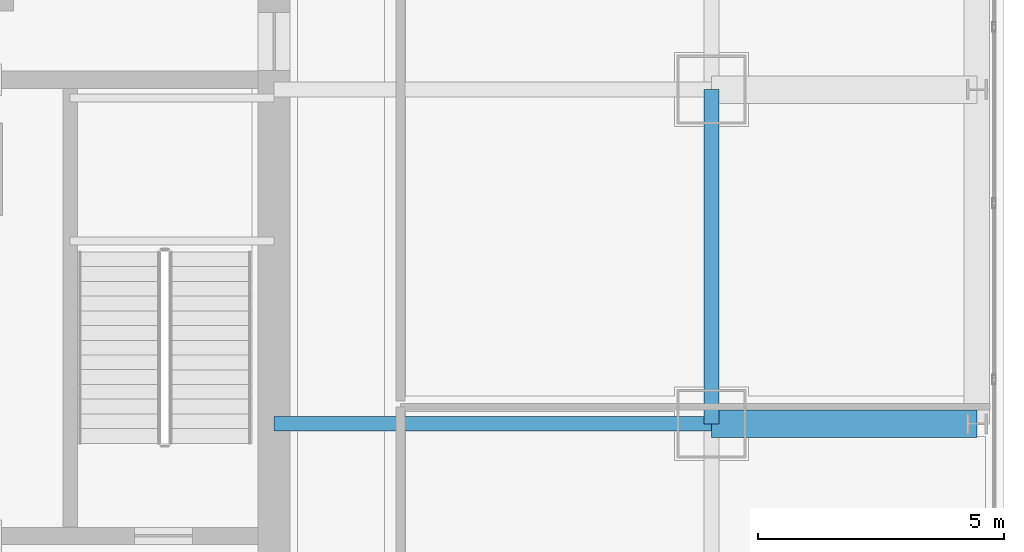
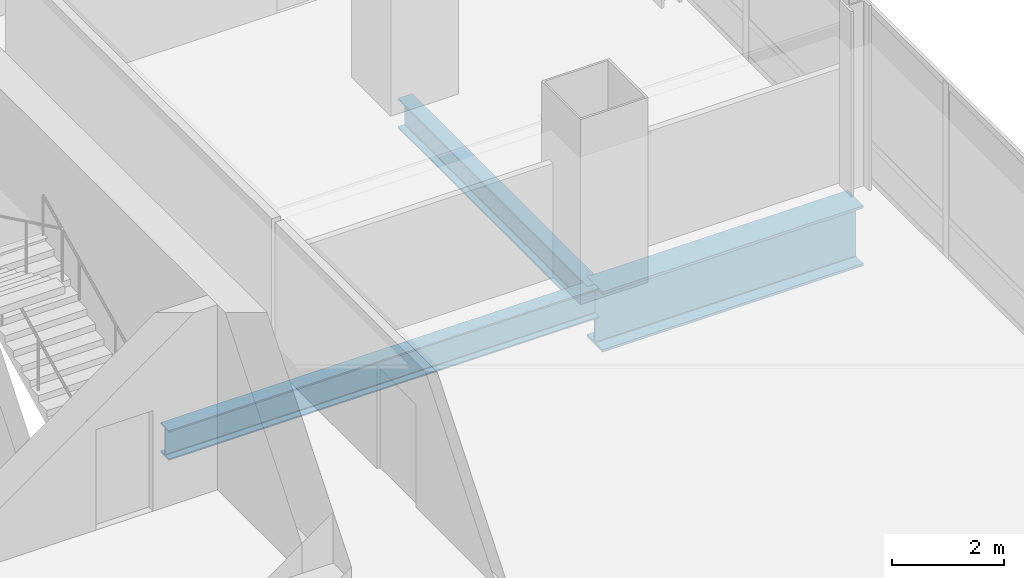
# One storey, part 17 of 37: 3 beams.
"""IFC4 building model written with IfcOpenShell, lengths in metres."""

from ifc_helpers import new_model, si_unit, direction, frame, origin, origin_2d, place, context, subcontext, project, spatial, i_section, extrude, material, material_profile, profile_set, type_object, element, save


model = new_model("IFC4")

# Units and contexts
model_context = context("Model", 3, precision=1e-05, world=origin(), true_north=direction((0.0, 1.0)))
body_context = subcontext(model_context, "Body", "Model", "MODEL_VIEW")
ifc_project = project(units=[si_unit("LENGTHUNIT", "METRE"), si_unit("AREAUNIT", "SQUARE_METRE"), si_unit("VOLUMEUNIT", "CUBIC_METRE"), si_unit("PLANEANGLEUNIT", "RADIAN"), si_unit("MASSUNIT", "GRAM", prefix="KILO")], contexts=[model_context])

# Site, building, storey
site_placement = place(None, origin())
site = spatial("IfcSite", under=ifc_project, at=site_placement, CompositionType="ELEMENT")
building_placement = place(site_placement, origin())
building = spatial("IfcBuilding", under=site, at=building_placement, Name="Punatoya Terracotta Tower", CompositionType="ELEMENT")
storey_placement = place(building_placement, frame((0.0, 0.0, 224.85009765625)))
storey = spatial("IfcBuildingStorey", under=building, at=storey_placement, Name="L53", CompositionType="ELEMENT", Elevation=224.85009765625)

# Beams
ifc_material_1 = material(Name="Steel S355", Category="steel")
ifc_material_profile_1 = material_profile(ifc_material_1, i_section(OverallWidth=0.300048828125, OverallDepth=0.64990234375, WebThickness=0.01611328125, FlangeThickness=0.031005859375, FilletRadius=0.01806640625, at=origin_2d()))
ifc_profile_set_1 = profile_set([ifc_material_profile_1], Name="Steel S355")
beam_type_1 = type_object("IfcBeamType", Name="BM-PRI-650", PredefinedType="BEAM", material=ifc_profile_set_1)
beam_1_placement = place(storey_placement, frame((19.10009765625, -3.39990234375, -0.545166015625), z_axis=(0.0, 1.0, 0.0), x_axis=(-1.0, 0.0, 0.0)))
element("IfcBeam", 1, at=beam_1_placement, inside=storey, type_object=beam_type_1, Name="BM-L53-RG-E2", PredefinedType="BEAM", context=body_context, shape_type="SweptSolid", body=[
    extrude(i_section(OverallWidth=0.300048828125, OverallDepth=0.64990234375, WebThickness=0.01611328125, FlangeThickness=0.031005859375, FilletRadius=0.01806640625, at=origin_2d()), origin(), (0.0, 0.0, 1.0), 6.7998046875),
])
beam_2_placement = place(storey_placement, frame((10.199951171875, -3.39990234375, -0.545166015625), z_axis=(1.0, 0.0, 0.0), x_axis=(0.0, 1.0, 0.0)))
element("IfcBeam", 2, at=beam_2_placement, inside=storey, type_object=beam_type_1, Name="BM-L53-PR-ED", PredefinedType="BEAM", context=body_context, shape_type="SweptSolid", body=[
    extrude(i_section(OverallWidth=0.300048828125, OverallDepth=0.64990234375, WebThickness=0.01611328125, FlangeThickness=0.031005859375, FilletRadius=0.01806640625, at=origin_2d()), origin(), (0.0, 0.0, 1.0), 8.900146484375),
])
ifc_material_2 = material(Name="Steel S460", Category="steel")
ifc_material_profile_2 = material_profile(ifc_material_2, i_section(OverallWidth=0.56005859375, OverallDepth=1.320068359375, WebThickness=0.035888671875, FlangeThickness=0.054931640625, FilletRadius=0.01806640625, at=origin_2d()))
ifc_profile_set_2 = profile_set([ifc_material_profile_2], Name="Steel S460")
beam_type_2 = type_object("IfcBeamType", Name="BM-TG-BLK", PredefinedType="BEAM", material=ifc_profile_set_2)
beam_3_placement = place(storey_placement, frame((19.10009765625, -3.39990234375, -0.880126953125), z_axis=(1.0, 0.0, 0.0), x_axis=(0.0, 1.0, 0.0)))
element("IfcBeam", 3, at=beam_3_placement, inside=storey, type_object=beam_type_2, Name="BM-L53-CANT-E2", PredefinedType="BEAM", context=body_context, shape_type="SweptSolid", body=[
    extrude(i_section(OverallWidth=0.56005859375, OverallDepth=1.320068359375, WebThickness=0.035888671875, FlangeThickness=0.054931640625, FilletRadius=0.01806640625, at=origin_2d()), origin(), (0.0, 0.0, 1.0), 5.39990234375),
])

save(model, "model.ifc")
